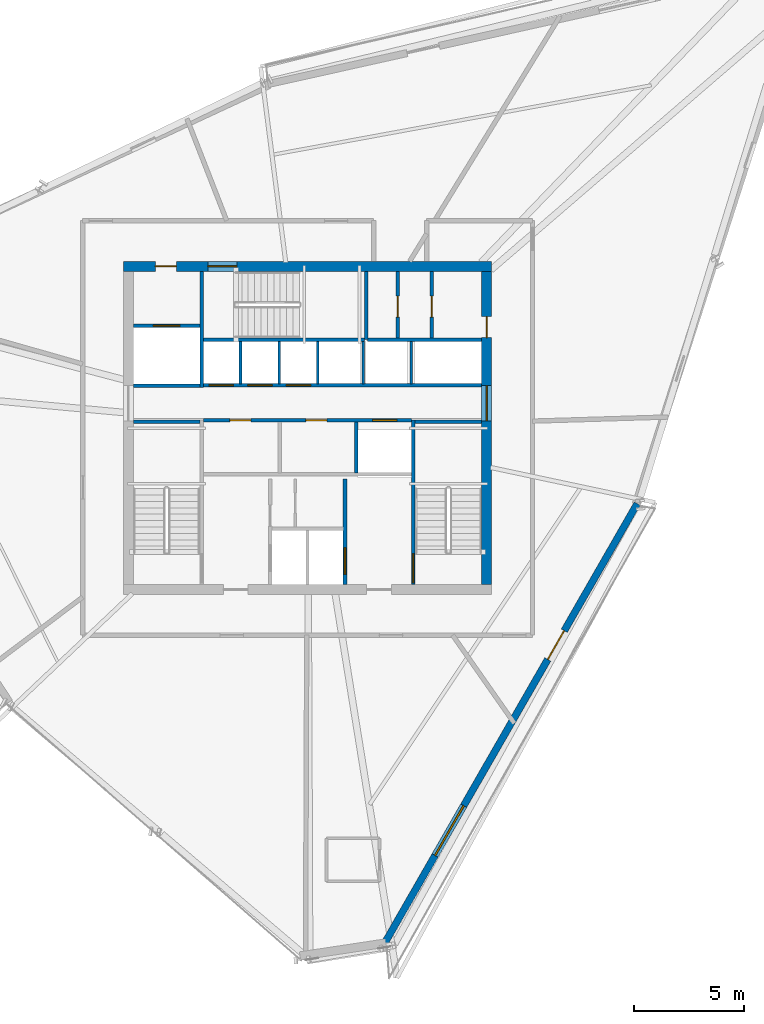
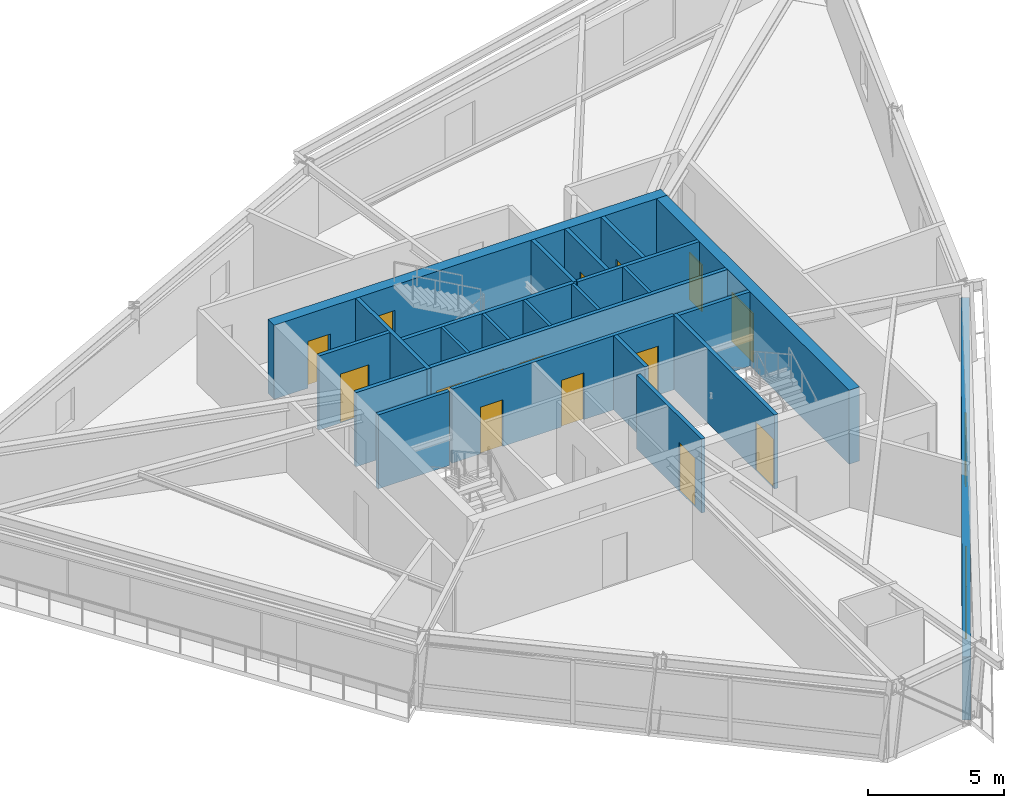
# One storey, part 9 of 13: 23 walls, 16 doors, 1 window, 17 openings.
"""IFC4 building model written with IfcOpenShell, lengths in metres."""

from ifc_helpers import new_model, si_unit, direction, frame, frame_2d, origin, place, context, subcontext, project, spatial, rectangle, extrude, source, transform, mapped, material, layer, layer_set, type_object, type_shapes, element, fill, save


model = new_model("IFC4")

# Units and contexts
model_context = context("Model", 3, precision=1e-05, world=origin(), true_north=direction((0.0, 1.0)))
body_context = subcontext(model_context, "Body", "Model", "MODEL_VIEW")
ifc_project = project(units=[si_unit("LENGTHUNIT", "METRE"), si_unit("AREAUNIT", "SQUARE_METRE"), si_unit("VOLUMEUNIT", "CUBIC_METRE"), si_unit("PLANEANGLEUNIT", "RADIAN"), si_unit("MASSUNIT", "GRAM", prefix="KILO")], contexts=[model_context])

# Site, building, storey
site_placement = place(None, origin())
site = spatial("IfcSite", under=ifc_project, at=site_placement, CompositionType="ELEMENT")
building_placement = place(site_placement, origin())
building = spatial("IfcBuilding", under=site, at=building_placement, Name="Olszyna Solenne Hotel", CompositionType="ELEMENT")
storey_placement = place(building_placement, frame((0.0, 0.0, 209.60009765625)))
storey = spatial("IfcBuildingStorey", under=building, at=storey_placement, Name="L55", CompositionType="ELEMENT", Elevation=209.60009765625)

# Wall, openings, doors
ifc_material_1 = material(Name="Concrete C50/60", Category="concrete")
ifc_layer_1 = layer(ifc_material_1, 0.449951171875, Name="Concrete C50/60")
ifc_layer_set_1 = layer_set([ifc_layer_1], Name="Concrete C50/60")
wall_type_1 = type_object("IfcWallType", Name="WL-CR450", PredefinedType="SHEAR", material=ifc_layer_set_1)
wall_1_placement = place(storey_placement, frame((29.64990234375, 33.925048828125, 0.0), z_axis=(0.0, 0.0, 1.0), x_axis=(1.0, 0.0, 0.0)))
wall_1 = element("IfcWall", 1, at=wall_1_placement, inside=storey, type_object=wall_type_1, Name="Core shear wall WL-CR450 CRW-L55-N", PredefinedType="SHEAR", context=body_context, shape_type="SweptSolid", body=[
    extrude(rectangle(XDim=16.7001953125, YDim=0.449951171875, at=frame_2d((8.35009765625, 0.0))), origin(), (0.0, 0.0, 1.0), 3.329833984375),
])
opening_1_placement = place(wall_1_placement, frame((1.449951171875, 0.0, 0.0)))
opening_1 = element("IfcOpeningElement", 2, at=opening_1_placement, cuts=wall_1, Name="Opening SVD-L55-01", PredefinedType="OPENING", context=body_context, shape_type="SweptSolid", body=[
    extrude(rectangle(XDim=0.949951171875, YDim=2.10009765625, at=frame_2d((0.47509765625, 1.050048828125))), frame((0.0, 0.23486328125, 0.0), z_axis=(0.0, -1.0, 0.0), x_axis=(1.0, 0.0, 0.0)), (0.0, 0.0, 1.0), 0.469970703125),
])
opening_2_placement = place(wall_1_placement, frame((3.830078125, 0.0, 0.0)))
opening_2 = element("IfcOpeningElement", 3, at=opening_2_placement, cuts=wall_1, Name="Opening STD-L55-03", PredefinedType="OPENING", context=body_context, shape_type="SweptSolid", body=[
    extrude(rectangle(XDim=1.320068359375, YDim=2.199951171875, at=frame_2d((0.66015625, 1.10009765625))), frame((0.0, 0.23486328125, 0.0), z_axis=(0.0, -1.0, 0.0), x_axis=(1.0, 0.0, 0.0)), (0.0, 0.0, 1.0), 0.469970703125),
])
ifc_material_2 = material(Name="Steel S355J2", Category="steel")
door_type_1 = type_object("IfcDoorType", Name="DR-ST1", OperationType="NOTDEFINED", PredefinedType="DOOR", material=ifc_material_2)
shared_shape_1 = source(origin(), body_context, "Body", "SweptSolid", [
    extrude(rectangle(XDim=1.320068359375, YDim=2.199951171875, at=frame_2d((0.66015625, 1.10009765625))), frame((0.0, 0.02490234375, 0.0), z_axis=(0.0, -1.0, 0.0), x_axis=(1.0, 0.0, 0.0)), (0.0, 0.0, 1.0), 0.050048828125),
])
type_shapes(door_type_1, [shared_shape_1])
door_1_placement = place(opening_2_placement, origin())
door_1 = element("IfcDoor", 4, at=door_1_placement, inside=storey, type_object=door_type_1, Name="Pressurised exit stair ST3 fire door STD-L55-03", OperationType="SINGLE_SWING_RIGHT", OverallHeight=2.199951171875, OverallWidth=1.320068359375, PredefinedType="DOOR", context=body_context, shape_type="MappedRepresentation", body=[
    mapped(shared_shape_1, transform((0.0, 0.0, 0.0), x_axis=(1.0, 0.0, 0.0), y_axis=(0.0, 1.0, 0.0), z_axis=(0.0, 0.0, 1.0), scale=1.0)),
])
fill(opening_2, door_1)
door_type_2 = type_object("IfcDoorType", Name="DR-SV1", OperationType="NOTDEFINED", PredefinedType="DOOR", material=ifc_material_2)
shared_shape_2 = source(origin(), body_context, "Body", "SweptSolid", [
    extrude(rectangle(XDim=0.949951171875, YDim=2.10009765625, at=frame_2d((0.47509765625, 1.050048828125))), frame((0.0, 0.02490234375, 0.0), z_axis=(0.0, -1.0, 0.0), x_axis=(1.0, 0.0, 0.0)), (0.0, 0.0, 1.0), 0.050048828125),
])
type_shapes(door_type_2, [shared_shape_2])
door_2_placement = place(opening_1_placement, origin())
door_2 = element("IfcDoor", 5, at=door_2_placement, inside=storey, type_object=door_type_2, Name="Service lift lobby fire door SVD-L55-01", OperationType="SINGLE_SWING_LEFT", OverallHeight=2.10009765625, OverallWidth=0.949951171875, PredefinedType="DOOR", context=body_context, shape_type="MappedRepresentation", body=[
    mapped(shared_shape_2, transform((0.0, 0.0, 0.0), x_axis=(1.0, 0.0, 0.0), y_axis=(0.0, 1.0, 0.0), z_axis=(0.0, 0.0, 1.0), scale=1.0)),
])
fill(opening_1, door_2)

wall_2_placement = place(storey_placement, frame((46.125, 33.699951171875, 0.0), z_axis=(0.0, 0.0, 1.0), x_axis=(0.0, -1.0, 0.0)))
wall_2 = element("IfcWall", 6, at=wall_2_placement, inside=storey, type_object=wall_type_1, Name="Core shear wall WL-CR450 CRW-L55-E", PredefinedType="SHEAR", context=body_context, shape_type="SweptSolid", body=[
    extrude(rectangle(XDim=14.199951171875, YDim=0.449951171875, at=frame_2d((7.10009765625, 0.0))), origin(), (0.0, 0.0, 1.0), 3.329833984375),
])
opening_3_placement = place(wall_2_placement, frame((5.179931640625, 0.0, 0.0)))
opening_3 = element("IfcOpeningElement", 7, at=opening_3_placement, cuts=wall_2, Name="Opening LHD-L55-E", PredefinedType="OPENING", context=body_context, shape_type="SweptSolid", body=[
    extrude(rectangle(XDim=1.60009765625, YDim=2.199951171875, at=frame_2d((0.800048828125, 1.10009765625))), frame((0.0, 0.23486328125, 0.0), z_axis=(0.0, -1.0, 0.0), x_axis=(1.0, 0.0, 0.0)), (0.0, 0.0, 1.0), 0.469970703125),
])
opening_4_placement = place(wall_2_placement, frame((2.050048828125, 0.0, 0.0)))
opening_4 = element("IfcOpeningElement", 8, at=opening_4_placement, cuts=wall_2, Name="Opening SVD-L55-BE", PredefinedType="OPENING", context=body_context, shape_type="SweptSolid", body=[
    extrude(rectangle(XDim=0.949951171875, YDim=2.10009765625, at=frame_2d((0.47509765625, 1.050048828125))), frame((0.0, 0.23486328125, 0.0), z_axis=(0.0, -1.0, 0.0), x_axis=(1.0, 0.0, 0.0)), (0.0, 0.0, 1.0), 0.469970703125),
])
door_3_placement = place(opening_4_placement, origin())
door_3 = element("IfcDoor", 9, at=door_3_placement, inside=storey, type_object=door_type_2, Name="Housekeeping core fire door SVD-L55-BE", OperationType="SINGLE_SWING_RIGHT", OverallHeight=2.10009765625, OverallWidth=0.949951171875, PredefinedType="DOOR", context=body_context, shape_type="MappedRepresentation", body=[
    mapped(shared_shape_2, transform((0.0, 0.0, 0.0), x_axis=(1.0, 0.0, 0.0), y_axis=(0.0, 1.0, 0.0), z_axis=(0.0, 0.0, 1.0), scale=1.0)),
])
fill(opening_4, door_3)
ifc_material_3 = material(Name="Timber hardwood", Category="wood")
door_type_3 = type_object("IfcDoorType", Name="DR-CR1", OperationType="DOUBLE_DOOR_SINGLE_SWING", PredefinedType="DOOR", material=ifc_material_3)
shared_shape_3 = source(origin(), body_context, "Body", "SweptSolid", [
    extrude(rectangle(XDim=1.60009765625, YDim=2.199951171875, at=frame_2d((0.800048828125, 1.10009765625))), frame((0.0, 0.02490234375, 0.0), z_axis=(0.0, -1.0, 0.0), x_axis=(1.0, 0.0, 0.0)), (0.0, 0.0, 1.0), 0.050048828125),
])
type_shapes(door_type_3, [shared_shape_3])
door_4_placement = place(opening_3_placement, origin())
door_4 = element("IfcDoor", 10, at=door_4_placement, inside=storey, type_object=door_type_3, Name="Passenger lift lobby East fire door LHD-L55-E", OperationType="DOUBLE_DOOR_SINGLE_SWING", OverallHeight=2.199951171875, OverallWidth=1.60009765625, PredefinedType="DOOR", context=body_context, shape_type="MappedRepresentation", body=[
    mapped(shared_shape_3, transform((0.0, 0.0, 0.0), x_axis=(1.0, 0.0, 0.0), y_axis=(0.0, 1.0, 0.0), z_axis=(0.0, 0.0, 1.0), scale=1.0)),
])
fill(opening_3, door_4)

# Wall, openings, door, window
ifc_material_4 = material(Name="Precast concrete C45/55", Category="concrete")
ifc_layer_2 = layer(ifc_material_4, 0.320068359375, Name="Precast concrete C45/55")
ifc_layer_set_2 = layer_set([ifc_layer_2], Name="Precast concrete C45/55")
wall_type_2 = type_object("IfcWallType", Name="WL-EX320", PredefinedType="SOLIDWALL", material=ifc_layer_set_2)
wall_3_placement = place(storey_placement, frame((52.952880859375, 23.1640625, 0.0), z_axis=(0.0, 0.0, 1.0), x_axis=(-0.498307707731, -0.867000247068, 0.0)))
wall_3 = element("IfcWall", 11, at=wall_3_placement, inside=storey, type_object=wall_type_2, Name="Exterior terracotta-precast frame wall WL-EX320 EW-L55-01", PredefinedType="SOLIDWALL", context=body_context, shape_type="SweptSolid", body=[
    extrude(rectangle(XDim=23.10205078125, YDim=0.320068359375, at=frame_2d((11.551025390625, 0.0))), origin(), (0.0, 0.0, 1.0), 2.822021484375),
])
opening_5_placement = place(wall_3_placement, frame((6.64306640625, 0.0, 0.0)))
opening_5 = element("IfcOpeningElement", 12, at=opening_5_placement, cuts=wall_3, Name="Opening LDG-L55-3", PredefinedType="OPENING", context=body_context, shape_type="SweptSolid", body=[
    extrude(rectangle(XDim=1.5, YDim=2.300048828125, at=frame_2d((0.75, 1.14990234375))), frame((0.0, 0.169921875, 0.0), z_axis=(0.0, -1.0, 0.0), x_axis=(1.0, 0.0, 0.0)), (0.0, 0.0, 1.0), 0.340087890625),
])
opening_6_placement = place(wall_3_placement, frame((15.7958984375, 0.0, 0.35205078125)))
opening_6 = element("IfcOpeningElement", 13, at=opening_6_placement, cuts=wall_3, Name="Opening WN-L55-350", PredefinedType="OPENING", context=body_context, shape_type="SweptSolid", body=[
    extrude(rectangle(XDim=2.60009765625, YDim=2.35009765625, at=frame_2d((1.300048828125, 1.175048828125))), frame((0.0, 0.169921875, 0.0), z_axis=(0.0, -1.0, 0.0), x_axis=(1.0, 0.0, 0.0)), (0.0, 0.0, 1.0), 0.340087890625),
])
ifc_material_5 = material(Name="Anodised bronze aluminium", Category="aluminium")
door_type_4 = type_object("IfcDoorType", Name="DR-LG2", OperationType="DOUBLE_DOOR_SINGLE_SWING", PredefinedType="DOOR", material=ifc_material_5)
shared_shape_4 = source(origin(), body_context, "Body", "SweptSolid", [
    extrude(rectangle(XDim=1.5, YDim=2.300048828125, at=frame_2d((0.75, 1.14990234375))), frame((0.0, 0.02490234375, 0.0), z_axis=(0.0, -1.0, 0.0), x_axis=(1.0, 0.0, 0.0)), (0.0, 0.0, 1.0), 0.050048828125),
])
type_shapes(door_type_4, [shared_shape_4])
door_5_placement = place(opening_5_placement, origin())
door_5 = element("IfcDoor", 14, at=door_5_placement, inside=storey, type_object=door_type_4, Name="Exterior loggia balcony door DR-LG2 LDG-L55-3", OperationType="DOUBLE_DOOR_SINGLE_SWING", OverallHeight=2.300048828125, OverallWidth=1.5, PredefinedType="DOOR", context=body_context, shape_type="MappedRepresentation", body=[
    mapped(shared_shape_4, transform((0.0, 0.0, 0.0), x_axis=(1.0, 0.0, 0.0), y_axis=(0.0, 1.0, 0.0), z_axis=(0.0, 0.0, 1.0), scale=1.0)),
])
fill(opening_5, door_5)
ifc_material_6 = material(Name="Low-E triple glazing", Category="glass")
window_type = type_object("IfcWindowType", Name="WN-ST1", PartitioningType="SINGLE_PANEL", PredefinedType="WINDOW", material=ifc_material_6)
shared_shape_5 = source(origin(), body_context, "Body", "SweptSolid", [
    extrude(rectangle(XDim=2.60009765625, YDim=2.35009765625, at=frame_2d((1.300048828125, 1.175048828125))), frame((0.0, 0.030029296875, 0.0), z_axis=(0.0, -1.0, 0.0), x_axis=(1.0, 0.0, 0.0)), (0.0, 0.0, 1.0), 0.06005859375),
])
type_shapes(window_type, [shared_shape_5])
window_placement = place(opening_6_placement, origin())
window = element("IfcWindow", 15, at=window_placement, inside=storey, type_object=window_type, Name="Loggia room window WN-ST1 WN-L55-350", OverallHeight=2.35009765625, OverallWidth=2.60009765625, PartitioningType="SINGLE_PANEL", PredefinedType="WINDOW", context=body_context, shape_type="MappedRepresentation", body=[
    mapped(shared_shape_5, transform((0.0, 0.0, 0.0), x_axis=(1.0, 0.0, 0.0), y_axis=(0.0, 1.0, 0.0), z_axis=(0.0, 0.0, 1.0), scale=1.0)),
])
fill(opening_6, window)

# Walls
ifc_material_7 = material(Name="Acoustic gypsum partition", Category="gypsum")
ifc_layer_3 = layer(ifc_material_7, 0.125, Name="Acoustic gypsum partition")
ifc_layer_set_3 = layer_set([ifc_layer_3], Name="Acoustic gypsum partition")
wall_type_3 = type_object("IfcWallType", Name="WL-PT125", PredefinedType="PARTITIONING", material=ifc_layer_set_3)
for number, where, z_axis, x_axis, name in (
    (16, (34.965087890625, 28.60009765625, 0.0), (0.0, 0.0, 1.0), (0.0, 1.0, 0.0), "Core shaft compartment wall CW-L55-DIVN349"),
    (17, (36.715087890625, 28.60009765625, 0.0), (0.0, 0.0, 1.0), (0.0, 1.0, 0.0), "Core shaft compartment wall CW-L55-DIVN367"),
    (18, (38.465087890625, 28.60009765625, 0.0), (0.0, 0.0, 1.0), (0.0, 1.0, 0.0), "Core shaft compartment wall CW-L55-DIVN384"),
    (19, (40.52490234375, 28.60009765625, 0.0), (0.0, 0.0, 1.0), (0.0, 1.0, 0.0), "Core shaft compartment wall CW-L55-DIVEX405"),
    (20, (42.699951171875, 28.60009765625, 0.0), (0.0, 0.0, 1.0), (0.0, 1.0, 0.0), "Core shaft compartment wall CW-L55-DIVEX427"),
):
    element("IfcWall", number, at=place(storey_placement, frame(where, z_axis=z_axis, x_axis=x_axis)), inside=storey, type_object=wall_type_3, Name=name, PredefinedType="PARTITIONING", context=body_context, shape_type="SweptSolid", body=[
        extrude(rectangle(XDim=1.919921875, YDim=0.125, at=frame_2d((0.9599609375, 0.0))), origin(), (0.0, 0.0, 1.0), 3.329833984375),
    ])
ifc_layer_4 = layer(ifc_material_7, 0.159912109375, Name="Acoustic gypsum partition")
ifc_layer_set_4 = layer_set([ifc_layer_4], Name="Acoustic gypsum partition")
wall_type_4 = type_object("IfcWallType", Name="WL-PT160", PredefinedType="PARTITIONING", material=ifc_layer_set_4)
wall_4_placement = place(storey_placement, frame((30.10009765625, 26.8798828125, 0.0), z_axis=(0.0, 0.0, 1.0), x_axis=(1.0, 0.0, 0.0)))
element("IfcWall", 21, at=wall_4_placement, inside=storey, type_object=wall_type_4, Name="Core shaft compartment wall CW-L55-ST1N", PredefinedType="PARTITIONING", context=body_context, shape_type="SweptSolid", body=[
    extrude(rectangle(XDim=3.02001953125, YDim=0.159912109375, at=frame_2d((1.510009765625, 0.0))), origin(), (0.0, 0.0, 1.0), 3.329833984375),
])

# Wall, opening, door
wall_5_placement = place(storey_placement, frame((42.800048828125, 26.9599609375, 0.0), z_axis=(0.0, 0.0, 1.0), x_axis=(0.0, -1.0, 0.0)))
wall_5 = element("IfcWall", 22, at=wall_5_placement, inside=storey, type_object=wall_type_4, Name="Core shaft compartment wall CW-L55-ST2W", PredefinedType="PARTITIONING", context=body_context, shape_type="SweptSolid", body=[
    extrude(rectangle(XDim=7.4599609375, YDim=0.159912109375, at=frame_2d((3.72998046875, 0.0))), origin(), (0.0, 0.0, 1.0), 3.329833984375),
])
opening_7_placement = place(wall_5_placement, frame((6.06005859375, 0.0, 0.0)))
opening_7 = element("IfcOpeningElement", 23, at=opening_7_placement, cuts=wall_5, Name="Opening STD-L55-02", PredefinedType="OPENING", context=body_context, shape_type="SweptSolid", body=[
    extrude(rectangle(XDim=1.320068359375, YDim=2.199951171875, at=frame_2d((0.66015625, 1.10009765625))), frame((0.0, 0.08984375, 0.0), z_axis=(0.0, -1.0, 0.0), x_axis=(1.0, 0.0, 0.0)), (0.0, 0.0, 1.0), 0.179931640625),
])
door_6_placement = place(opening_7_placement, origin())
door_6 = element("IfcDoor", 24, at=door_6_placement, inside=storey, type_object=door_type_1, Name="Pressurised exit stair ST2 fire door STD-L55-02", OperationType="SINGLE_SWING_RIGHT", OverallHeight=2.199951171875, OverallWidth=1.320068359375, PredefinedType="DOOR", context=body_context, shape_type="MappedRepresentation", body=[
    mapped(shared_shape_1, transform((0.0, 0.0, 0.0), x_axis=(1.0, 0.0, 0.0), y_axis=(0.0, 1.0, 0.0), z_axis=(0.0, 0.0, 1.0), scale=1.0)),
])
fill(opening_7, door_6)

# Walls
wall_6_placement = place(storey_placement, frame((42.8798828125, 26.8798828125, 0.0), z_axis=(0.0, 0.0, 1.0), x_axis=(1.0, 0.0, 0.0)))
element("IfcWall", 25, at=wall_6_placement, inside=storey, type_object=wall_type_4, Name="Core shaft compartment wall CW-L55-ST2N", PredefinedType="PARTITIONING", context=body_context, shape_type="SweptSolid", body=[
    extrude(rectangle(XDim=3.02001953125, YDim=0.159912109375, at=frame_2d((1.510009765625, 0.0))), origin(), (0.0, 0.0, 1.0), 3.329833984375),
])
wall_7_placement = place(storey_placement, frame((33.280029296875, 30.60009765625, 0.0), z_axis=(0.0, 0.0, 1.0), x_axis=(1.0, 0.0, 0.0)))
element("IfcWall", 26, at=wall_7_placement, inside=storey, type_object=wall_type_4, Name="Core shaft compartment wall CW-L55-ST3S", PredefinedType="PARTITIONING", context=body_context, shape_type="SweptSolid", body=[
    extrude(rectangle(XDim=7.300048828125, YDim=0.159912109375, at=frame_2d((3.64990234375, 0.0))), origin(), (0.0, 0.0, 1.0), 3.329833984375),
])
wall_8_placement = place(storey_placement, frame((40.659912109375, 30.60009765625, 0.0), z_axis=(0.0, 0.0, 1.0), x_axis=(0.0, 1.0, 0.0)))
element("IfcWall", 27, at=wall_8_placement, inside=storey, type_object=wall_type_4, Name="Core shaft compartment wall CW-L55-ST3E", PredefinedType="PARTITIONING", context=body_context, shape_type="SweptSolid", body=[
    extrude(rectangle(XDim=3.099853515625, YDim=0.159912109375, at=frame_2d((1.5498046875, 0.0))), origin(), (0.0, 0.0, 1.0), 3.329833984375),
])

# Wall, opening, door
wall_9_placement = place(storey_placement, frame((39.699951171875, 24.280029296875, 0.0), z_axis=(0.0, 0.0, 1.0), x_axis=(0.0, -1.0, 0.0)))
wall_9 = element("IfcWall", 28, at=wall_9_placement, inside=storey, type_object=wall_type_4, Name="Core shaft compartment wall CW-L55-FF2E", PredefinedType="PARTITIONING", context=body_context, shape_type="SweptSolid", body=[
    extrude(rectangle(XDim=4.780029296875, YDim=0.159912109375, at=frame_2d((2.39013671875, 0.0))), origin(), (0.0, 0.0, 1.0), 3.329833984375),
])
opening_8_placement = place(wall_9_placement, frame((3.1201171875, 0.0, 0.0)))
opening_8 = element("IfcOpeningElement", 29, at=opening_8_placement, cuts=wall_9, Name="Opening LD-L55-FF2", PredefinedType="OPENING", context=body_context, shape_type="SweptSolid", body=[
    extrude(rectangle(XDim=1.199951171875, YDim=2.199951171875, at=frame_2d((0.60009765625, 1.10009765625))), frame((0.0, 0.08984375, 0.0), z_axis=(0.0, -1.0, 0.0), x_axis=(1.0, 0.0, 0.0)), (0.0, 0.0, 1.0), 0.179931640625),
])
door_type_5 = type_object("IfcDoorType", Name="LD-FF1", OperationType="DOUBLE_DOOR_SLIDING", PredefinedType="DOOR", material=ifc_material_2)
shared_shape_6 = source(origin(), body_context, "Body", "SweptSolid", [
    extrude(rectangle(XDim=1.199951171875, YDim=2.199951171875, at=frame_2d((0.60009765625, 1.10009765625))), frame((0.0, 0.02490234375, 0.0), z_axis=(0.0, -1.0, 0.0), x_axis=(1.0, 0.0, 0.0)), (0.0, 0.0, 1.0), 0.050048828125),
])
type_shapes(door_type_5, [shared_shape_6])
door_7_placement = place(opening_8_placement, origin())
door_7 = element("IfcDoor", 30, at=door_7_placement, inside=storey, type_object=door_type_5, Name="Firefighters lift FF2 sliding landing door LD-L55-FF2", OperationType="DOUBLE_DOOR_SLIDING", OverallHeight=2.199951171875, OverallWidth=1.199951171875, PredefinedType="DOOR", context=body_context, shape_type="MappedRepresentation", body=[
    mapped(shared_shape_6, transform((0.0, 0.0, 0.0), x_axis=(1.0, 0.0, 0.0), y_axis=(0.0, 1.0, 0.0), z_axis=(0.0, 0.0, 1.0), scale=1.0)),
])
fill(opening_8, door_7)

# Walls
wall_10_placement = place(storey_placement, frame((30.10009765625, 28.52001953125, 0.0), z_axis=(0.0, 0.0, 1.0), x_axis=(1.0, 0.0, 0.0)))
element("IfcWall", 31, at=wall_10_placement, inside=storey, type_object=wall_type_4, Name="Core shaft compartment wall CW-L55-SV1S", PredefinedType="PARTITIONING", context=body_context, shape_type="SweptSolid", body=[
    extrude(rectangle(XDim=3.02001953125, YDim=0.159912109375, at=frame_2d((1.510009765625, 0.0))), origin(), (0.0, 0.0, 1.0), 3.329833984375),
])
wall_11_placement = place(storey_placement, frame((33.199951171875, 28.43994140625, 0.0), z_axis=(0.0, 0.0, 1.0), x_axis=(0.0, 1.0, 0.0)))
element("IfcWall", 32, at=wall_11_placement, inside=storey, type_object=wall_type_4, Name="Core shaft compartment wall CW-L55-SV1E", PredefinedType="PARTITIONING", context=body_context, shape_type="SweptSolid", body=[
    extrude(rectangle(XDim=5.260009765625, YDim=0.159912109375, at=frame_2d((2.6298828125, 0.0))), origin(), (0.0, 0.0, 1.0), 3.329833984375),
])

# Wall, opening, door
wall_12_placement = place(storey_placement, frame((30.10009765625, 31.239990234375, 0.0), z_axis=(0.0, 0.0, 1.0), x_axis=(1.0, 0.0, 0.0)))
wall_12 = element("IfcWall", 33, at=wall_12_placement, inside=storey, type_object=wall_type_4, Name="Core shaft compartment wall CW-L55-SV1N", PredefinedType="PARTITIONING", context=body_context, shape_type="SweptSolid", body=[
    extrude(rectangle(XDim=3.02001953125, YDim=0.159912109375, at=frame_2d((1.510009765625, 0.0))), origin(), (0.0, 0.0, 1.0), 3.329833984375),
])
opening_9_placement = place(wall_12_placement, frame((0.909912109375, 0.0, 0.0)))
opening_9 = element("IfcOpeningElement", 34, at=opening_9_placement, cuts=wall_12, Name="Opening LD-L55-SV1", PredefinedType="OPENING", context=body_context, shape_type="SweptSolid", body=[
    extrude(rectangle(XDim=1.199951171875, YDim=2.199951171875, at=frame_2d((0.60009765625, 1.10009765625))), frame((0.0, 0.08984375, 0.0), z_axis=(0.0, -1.0, 0.0), x_axis=(1.0, 0.0, 0.0)), (0.0, 0.0, 1.0), 0.179931640625),
])
door_8_placement = place(opening_9_placement, origin())
door_8 = element("IfcDoor", 35, at=door_8_placement, inside=storey, type_object=door_type_5, Name="Service lift SV1 sliding landing door LD-L55-SV1", OperationType="DOUBLE_DOOR_SLIDING", OverallHeight=2.199951171875, OverallWidth=1.199951171875, PredefinedType="DOOR", context=body_context, shape_type="MappedRepresentation", body=[
    mapped(shared_shape_6, transform((0.0, 0.0, 0.0), x_axis=(1.0, 0.0, 0.0), y_axis=(0.0, 1.0, 0.0), z_axis=(0.0, 0.0, 1.0), scale=1.0)),
])
fill(opening_9, door_8)

# Wall, openings, doors
wall_13_placement = place(storey_placement, frame((33.280029296875, 26.949951171875, 0.0), z_axis=(0.0, 0.0, 1.0), x_axis=(1.0, 0.0, 0.0)))
wall_13 = element("IfcWall", 36, at=wall_13_placement, inside=storey, type_object=wall_type_4, Name="Core shaft compartment wall CW-L55-LRS", PredefinedType="PARTITIONING", context=body_context, shape_type="SweptSolid", body=[
    extrude(rectangle(XDim=9.43994140625, YDim=0.159912109375, at=frame_2d((4.719970703125, 0.0))), origin(), (0.0, 0.0, 1.0), 3.329833984375),
])
opening_10_placement = place(wall_13_placement, frame((1.199951171875, 0.0, 0.0)))
opening_10 = element("IfcOpeningElement", 37, at=opening_10_placement, cuts=wall_13, Name="Opening SVD-L55-L71", PredefinedType="OPENING", context=body_context, shape_type="SweptSolid", body=[
    extrude(rectangle(XDim=0.949951171875, YDim=2.10009765625, at=frame_2d((0.47509765625, 1.050048828125))), frame((0.0, 0.08984375, 0.0), z_axis=(0.0, -1.0, 0.0), x_axis=(1.0, 0.0, 0.0)), (0.0, 0.0, 1.0), 0.179931640625),
])
opening_11_placement = place(wall_13_placement, frame((4.64990234375, 0.0, 0.0)))
opening_11 = element("IfcOpeningElement", 38, at=opening_11_placement, cuts=wall_13, Name="Opening SVD-L55-L72", PredefinedType="OPENING", context=body_context, shape_type="SweptSolid", body=[
    extrude(rectangle(XDim=0.949951171875, YDim=2.10009765625, at=frame_2d((0.47509765625, 1.050048828125))), frame((0.0, 0.08984375, 0.0), z_axis=(0.0, -1.0, 0.0), x_axis=(1.0, 0.0, 0.0)), (0.0, 0.0, 1.0), 0.179931640625),
])
opening_12_placement = place(wall_13_placement, frame((7.669921875, 0.0, 0.0)))
opening_12 = element("IfcOpeningElement", 39, at=opening_12_placement, cuts=wall_13, Name="Opening LD-L55-PL5", PredefinedType="OPENING", context=body_context, shape_type="SweptSolid", body=[
    extrude(rectangle(XDim=1.10009765625, YDim=2.199951171875, at=frame_2d((0.550048828125, 1.10009765625))), frame((0.0, 0.08984375, 0.0), z_axis=(0.0, -1.0, 0.0), x_axis=(1.0, 0.0, 0.0)), (0.0, 0.0, 1.0), 0.179931640625),
])
door_9_placement = place(opening_10_placement, origin())
door_9 = element("IfcDoor", 40, at=door_9_placement, inside=storey, type_object=door_type_2, Name="Recaptured core room fire door SVD-L55-L71", OperationType="SINGLE_SWING_LEFT", OverallHeight=2.10009765625, OverallWidth=0.949951171875, PredefinedType="DOOR", context=body_context, shape_type="MappedRepresentation", body=[
    mapped(shared_shape_2, transform((0.0, 0.0, 0.0), x_axis=(1.0, 0.0, 0.0), y_axis=(0.0, 1.0, 0.0), z_axis=(0.0, 0.0, 1.0), scale=1.0)),
])
fill(opening_10, door_9)
door_10_placement = place(opening_11_placement, origin())
door_10 = element("IfcDoor", 41, at=door_10_placement, inside=storey, type_object=door_type_2, Name="Recaptured core room fire door SVD-L55-L72", OperationType="SINGLE_SWING_RIGHT", OverallHeight=2.10009765625, OverallWidth=0.949951171875, PredefinedType="DOOR", context=body_context, shape_type="MappedRepresentation", body=[
    mapped(shared_shape_2, transform((0.0, 0.0, 0.0), x_axis=(1.0, 0.0, 0.0), y_axis=(0.0, 1.0, 0.0), z_axis=(0.0, 0.0, 1.0), scale=1.0)),
])
fill(opening_11, door_10)
door_type_6 = type_object("IfcDoorType", Name="LD-P1", OperationType="DOUBLE_DOOR_SLIDING", PredefinedType="DOOR", material=ifc_material_2)
shared_shape_7 = source(origin(), body_context, "Body", "SweptSolid", [
    extrude(rectangle(XDim=1.10009765625, YDim=2.199951171875, at=frame_2d((0.550048828125, 1.10009765625))), frame((0.0, 0.02490234375, 0.0), z_axis=(0.0, -1.0, 0.0), x_axis=(1.0, 0.0, 0.0)), (0.0, 0.0, 1.0), 0.050048828125),
])
type_shapes(door_type_6, [shared_shape_7])
door_11_placement = place(opening_12_placement, origin())
door_11 = element("IfcDoor", 42, at=door_11_placement, inside=storey, type_object=door_type_6, Name="Passenger lift PL5 sliding landing door LD-L55-PL5", OperationType="DOUBLE_DOOR_SLIDING", OverallHeight=2.199951171875, OverallWidth=1.10009765625, PredefinedType="DOOR", context=body_context, shape_type="MappedRepresentation", body=[
    mapped(shared_shape_7, transform((0.0, 0.0, 0.0), x_axis=(1.0, 0.0, 0.0), y_axis=(0.0, 1.0, 0.0), z_axis=(0.0, 0.0, 1.0), scale=1.0)),
])
fill(opening_12, door_11)

# Wall
wall_14_placement = place(storey_placement, frame((40.215087890625, 24.56005859375, 0.0), z_axis=(0.0, 0.0, 1.0), x_axis=(0.0, 1.0, 0.0)))
element("IfcWall", 43, at=wall_14_placement, inside=storey, type_object=wall_type_4, Name="Core shaft compartment wall CW-L55-LV7DIV2", PredefinedType="PARTITIONING", context=body_context, shape_type="SweptSolid", body=[
    extrude(rectangle(XDim=2.31005859375, YDim=0.159912109375, at=frame_2d((1.155029296875, 0.0))), origin(), (0.0, 0.0, 1.0), 3.329833984375),
])

# Wall, openings, doors
wall_15_placement = place(storey_placement, frame((33.280029296875, 28.5400390625, 0.0), z_axis=(0.0, 0.0, 1.0), x_axis=(1.0, 0.0, 0.0)))
wall_15 = element("IfcWall", 44, at=wall_15_placement, inside=storey, type_object=wall_type_4, Name="Core shaft compartment wall CW-L55-LRN", PredefinedType="PARTITIONING", context=body_context, shape_type="SweptSolid", body=[
    extrude(rectangle(XDim=12.619873046875, YDim=0.159912109375, at=frame_2d((6.31005859375, 0.0))), origin(), (0.0, 0.0, 1.0), 3.329833984375),
])
opening_13_placement = place(wall_15_placement, frame((0.260009765625, 0.0, 0.0)))
opening_13 = element("IfcOpeningElement", 45, at=opening_13_placement, cuts=wall_15, Name="Opening LD-L55-PL6", PredefinedType="OPENING", context=body_context, shape_type="SweptSolid", body=[
    extrude(rectangle(XDim=1.10009765625, YDim=2.199951171875, at=frame_2d((0.550048828125, 1.10009765625))), frame((0.0, 0.08984375, 0.0), z_axis=(0.0, -1.0, 0.0), x_axis=(1.0, 0.0, 0.0)), (0.0, 0.0, 1.0), 0.179931640625),
])
opening_14_placement = place(wall_15_placement, frame((2.010009765625, 0.0, 0.0)))
opening_14 = element("IfcOpeningElement", 46, at=opening_14_placement, cuts=wall_15, Name="Opening LD-L55-PL7", PredefinedType="OPENING", context=body_context, shape_type="SweptSolid", body=[
    extrude(rectangle(XDim=1.10009765625, YDim=2.199951171875, at=frame_2d((0.550048828125, 1.10009765625))), frame((0.0, 0.08984375, 0.0), z_axis=(0.0, -1.0, 0.0), x_axis=(1.0, 0.0, 0.0)), (0.0, 0.0, 1.0), 0.179931640625),
])
opening_15_placement = place(wall_15_placement, frame((3.760009765625, 0.0, 0.0)))
opening_15 = element("IfcOpeningElement", 47, at=opening_15_placement, cuts=wall_15, Name="Opening LD-L55-PL8", PredefinedType="OPENING", context=body_context, shape_type="SweptSolid", body=[
    extrude(rectangle(XDim=1.10009765625, YDim=2.199951171875, at=frame_2d((0.550048828125, 1.10009765625))), frame((0.0, 0.08984375, 0.0), z_axis=(0.0, -1.0, 0.0), x_axis=(1.0, 0.0, 0.0)), (0.0, 0.0, 1.0), 0.179931640625),
])
door_12_placement = place(opening_13_placement, origin())
door_12 = element("IfcDoor", 48, at=door_12_placement, inside=storey, type_object=door_type_6, Name="Passenger lift PL6 sliding landing door LD-L55-PL6", OperationType="DOUBLE_DOOR_SLIDING", OverallHeight=2.199951171875, OverallWidth=1.10009765625, PredefinedType="DOOR", context=body_context, shape_type="MappedRepresentation", body=[
    mapped(shared_shape_7, transform((0.0, 0.0, 0.0), x_axis=(1.0, 0.0, 0.0), y_axis=(0.0, 1.0, 0.0), z_axis=(0.0, 0.0, 1.0), scale=1.0)),
])
fill(opening_13, door_12)
door_13_placement = place(opening_14_placement, origin())
door_13 = element("IfcDoor", 49, at=door_13_placement, inside=storey, type_object=door_type_6, Name="Passenger lift PL7 sliding landing door LD-L55-PL7", OperationType="DOUBLE_DOOR_SLIDING", OverallHeight=2.199951171875, OverallWidth=1.10009765625, PredefinedType="DOOR", context=body_context, shape_type="MappedRepresentation", body=[
    mapped(shared_shape_7, transform((0.0, 0.0, 0.0), x_axis=(1.0, 0.0, 0.0), y_axis=(0.0, 1.0, 0.0), z_axis=(0.0, 0.0, 1.0), scale=1.0)),
])
fill(opening_14, door_13)
door_14_placement = place(opening_15_placement, origin())
door_14 = element("IfcDoor", 50, at=door_14_placement, inside=storey, type_object=door_type_6, Name="Passenger lift PL8 sliding landing door LD-L55-PL8", OperationType="DOUBLE_DOOR_SLIDING", OverallHeight=2.199951171875, OverallWidth=1.10009765625, PredefinedType="DOOR", context=body_context, shape_type="MappedRepresentation", body=[
    mapped(shared_shape_7, transform((0.0, 0.0, 0.0), x_axis=(1.0, 0.0, 0.0), y_axis=(0.0, 1.0, 0.0), z_axis=(0.0, 0.0, 1.0), scale=1.0)),
])
fill(opening_15, door_14)

# Wall
wall_16_placement = place(storey_placement, frame((40.719970703125, 30.60009765625, 0.0), z_axis=(0.0, 0.0, 1.0), x_axis=(1.0, 0.0, 0.0)))
element("IfcWall", 51, at=wall_16_placement, inside=storey, type_object=wall_type_4, Name="Core shaft compartment wall CW-L55-LRNTOP", PredefinedType="PARTITIONING", context=body_context, shape_type="SweptSolid", body=[
    extrude(rectangle(XDim=5.179931640625, YDim=0.159912109375, at=frame_2d((2.58984375, 0.0))), origin(), (0.0, 0.0, 1.0), 3.329833984375),
])

# Wall, opening, door
wall_17_placement = place(storey_placement, frame((42.0849609375, 30.679931640625, 0.0), z_axis=(0.0, 0.0, 1.0), x_axis=(0.0, 1.0, 0.0)))
wall_17 = element("IfcWall", 52, at=wall_17_placement, inside=storey, type_object=wall_type_4, Name="Core shaft compartment wall CW-L55-BOH3A", PredefinedType="PARTITIONING", context=body_context, shape_type="SweptSolid", body=[
    extrude(rectangle(XDim=3.02001953125, YDim=0.159912109375, at=frame_2d((1.510009765625, 0.0))), origin(), (0.0, 0.0, 1.0), 3.329833984375),
])
opening_16_placement = place(wall_17_placement, frame((0.949951171875, 0.0, 0.0)))
opening_16 = element("IfcOpeningElement", 53, at=opening_16_placement, cuts=wall_17, Name="Opening SVD-L55-B31", PredefinedType="OPENING", context=body_context, shape_type="SweptSolid", body=[
    extrude(rectangle(XDim=0.949951171875, YDim=2.10009765625, at=frame_2d((0.47509765625, 1.050048828125))), frame((0.0, 0.08984375, 0.0), z_axis=(0.0, -1.0, 0.0), x_axis=(1.0, 0.0, 0.0)), (0.0, 0.0, 1.0), 0.179931640625),
])
door_15_placement = place(opening_16_placement, origin())
door_15 = element("IfcDoor", 54, at=door_15_placement, inside=storey, type_object=door_type_2, Name="BOH inter-room fire door SVD-L55-B31", OperationType="SINGLE_SWING_LEFT", OverallHeight=2.10009765625, OverallWidth=0.949951171875, PredefinedType="DOOR", context=body_context, shape_type="MappedRepresentation", body=[
    mapped(shared_shape_2, transform((0.0, 0.0, 0.0), x_axis=(1.0, 0.0, 0.0), y_axis=(0.0, 1.0, 0.0), z_axis=(0.0, 0.0, 1.0), scale=1.0)),
])
fill(opening_16, door_15)

wall_18_placement = place(storey_placement, frame((43.625, 30.679931640625, 0.0), z_axis=(0.0, 0.0, 1.0), x_axis=(0.0, 1.0, 0.0)))
wall_18 = element("IfcWall", 55, at=wall_18_placement, inside=storey, type_object=wall_type_4, Name="Core shaft compartment wall CW-L55-BOH3B", PredefinedType="PARTITIONING", context=body_context, shape_type="SweptSolid", body=[
    extrude(rectangle(XDim=3.02001953125, YDim=0.159912109375, at=frame_2d((1.510009765625, 0.0))), origin(), (0.0, 0.0, 1.0), 3.329833984375),
])
opening_17_placement = place(wall_18_placement, frame((0.949951171875, 0.0, 0.0)))
opening_17 = element("IfcOpeningElement", 56, at=opening_17_placement, cuts=wall_18, Name="Opening SVD-L55-B32", PredefinedType="OPENING", context=body_context, shape_type="SweptSolid", body=[
    extrude(rectangle(XDim=0.949951171875, YDim=2.10009765625, at=frame_2d((0.47509765625, 1.050048828125))), frame((0.0, 0.08984375, 0.0), z_axis=(0.0, -1.0, 0.0), x_axis=(1.0, 0.0, 0.0)), (0.0, 0.0, 1.0), 0.179931640625),
])
door_16_placement = place(opening_17_placement, origin())
door_16 = element("IfcDoor", 57, at=door_16_placement, inside=storey, type_object=door_type_2, Name="BOH inter-room fire door SVD-L55-B32", OperationType="SINGLE_SWING_LEFT", OverallHeight=2.10009765625, OverallWidth=0.949951171875, PredefinedType="DOOR", context=body_context, shape_type="MappedRepresentation", body=[
    mapped(shared_shape_2, transform((0.0, 0.0, 0.0), x_axis=(1.0, 0.0, 0.0), y_axis=(0.0, 1.0, 0.0), z_axis=(0.0, 0.0, 1.0), scale=1.0)),
])
fill(opening_17, door_16)

save(model, "model.ifc")
